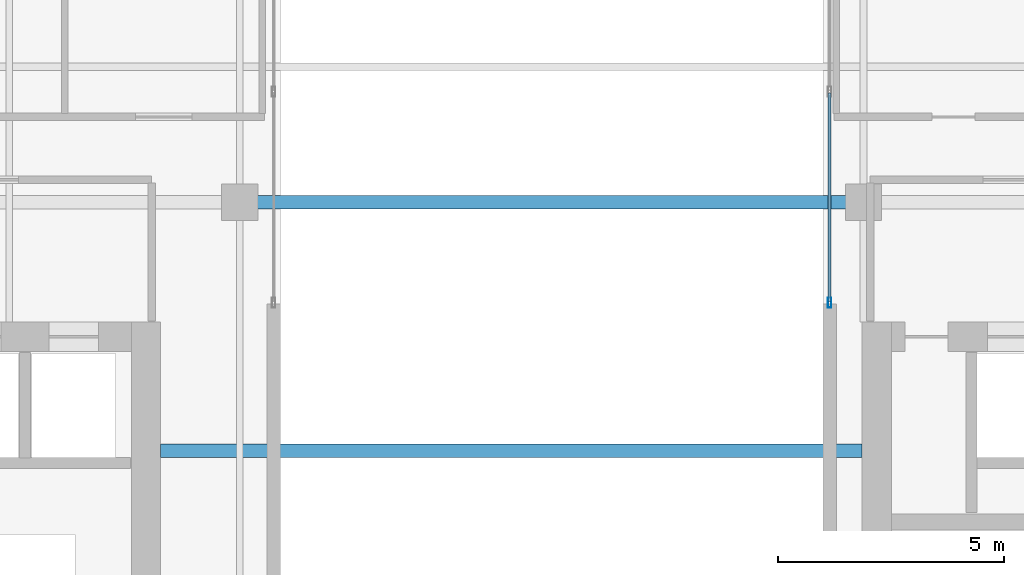
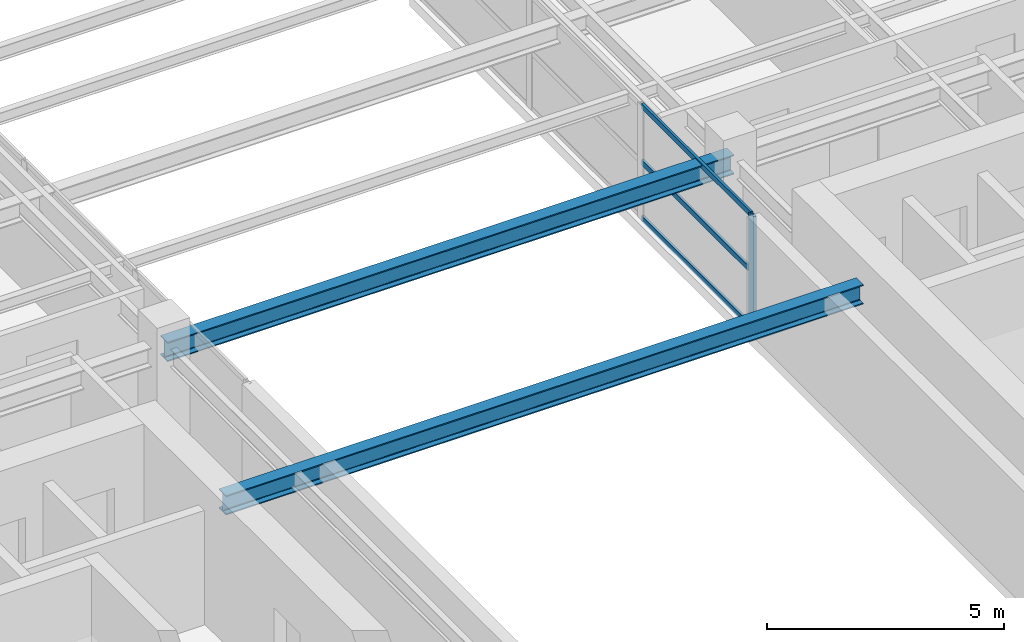
# One storey, part 9 of 21: 4 members, 2 beams, 1 element without a shape of its own.
"""IFC4 building model written with IfcOpenShell, lengths in metres."""

from ifc_helpers import new_model, si_unit, direction, frame, origin, origin_2d, place, context, subcontext, project, spatial, hollow_rectangle, i_section, extrude, source, transform, mapped, material, layer, layer_set, material_profile, profile_set, type_object, element, aggregate, save


model = new_model("IFC4")

# Units and contexts
model_context = context("Model", 3, precision=1e-05, world=origin(), true_north=direction((0.0, 1.0)))
body_context = subcontext(model_context, "Body", "Model", "MODEL_VIEW")
ifc_project = project(units=[si_unit("LENGTHUNIT", "METRE"), si_unit("AREAUNIT", "SQUARE_METRE"), si_unit("VOLUMEUNIT", "CUBIC_METRE"), si_unit("PLANEANGLEUNIT", "RADIAN"), si_unit("MASSUNIT", "GRAM", prefix="KILO")], contexts=[model_context])

# Site, building, storey
site_placement = place(None, origin())
site = spatial("IfcSite", under=ifc_project, at=site_placement, CompositionType="ELEMENT")
building_placement = place(site_placement, origin())
building = spatial("IfcBuilding", under=site, at=building_placement, Name="Khoralis Quay Care Tower", CompositionType="ELEMENT")
storey_placement = place(building_placement, frame((0.0, 0.0, 213.300048828125)))
storey = spatial("IfcBuildingStorey", under=building, at=storey_placement, Name="L56", CompositionType="ELEMENT", Elevation=213.300048828125)

# Beams
ifc_material_1 = material(Name="Steel S355", Category="steel")
ifc_material_profile_1 = material_profile(ifc_material_1, i_section(OverallWidth=0.300048828125, OverallDepth=0.5, WebThickness=0.014404296875, FlangeThickness=0.028076171875, FilletRadius=0.027099609375, at=origin_2d()), Name="Steel S355")
ifc_profile_set_1 = profile_set([ifc_material_profile_1], Name="Steel S355")
beam_type = type_object("IfcBeamType", Name="BM-HEB500", PredefinedType="BEAM", material=ifc_profile_set_1)
shared_shape_1 = source(origin(), body_context, "Body", "SweptSolid", [
    extrude(i_section(OverallWidth=0.300048828125, OverallDepth=0.5, WebThickness=0.014404296875, FlangeThickness=0.028076171875, FilletRadius=0.027099609375, at=origin_2d()), origin(), (0.0, 0.0, 1.0), 13.7998046875),
])
beam_1_placement = place(storey_placement, frame((17.10009765625, 30.0, 2.699951171875), z_axis=(1.0, 0.0, 0.0), x_axis=(0.0, 1.0, 0.0)))
element("IfcBeam", 1, at=beam_1_placement, inside=storey, type_object=beam_type, Name="BM-TGCC-L56-300", PredefinedType="BEAM", context=body_context, shape_type="MappedRepresentation", body=[
    mapped(shared_shape_1, transform((0.0, 0.0, 0.0), scale=1.0)),
])
shared_shape_2 = source(origin(), body_context, "Body", "SweptSolid", [
    extrude(i_section(OverallWidth=0.300048828125, OverallDepth=0.5, WebThickness=0.014404296875, FlangeThickness=0.028076171875, FilletRadius=0.027099609375, at=origin_2d()), origin(), (0.0, 0.0, 1.0), 15.524169921875),
])
beam_2_placement = place(storey_placement, frame((15.347900390625, 24.5, 2.699951171875), z_axis=(1.0, 0.0, 0.0), x_axis=(0.0, 1.0, 0.0)))
element("IfcBeam", 2, at=beam_2_placement, inside=storey, type_object=beam_type, Name="BM-TGCC-L56-245", PredefinedType="BEAM", context=body_context, shape_type="MappedRepresentation", body=[
    mapped(shared_shape_2, transform((0.0, 0.0, 0.0), scale=1.0)),
])

# Curtain wall, members
ifc_material_2 = material(Name="Pale anodised aluminium", Category="aluminium")
ifc_layer = layer(ifc_material_2, 0.18994140625)
ifc_layer_set = layer_set([ifc_layer], Name="Pale anodised aluminium")
curtain_wall_type = type_object("IfcCurtainWallType", Name="CW-SYS-PORTAL", PredefinedType="NOTDEFINED", material=ifc_layer_set)
curtain_wall_placement = place(storey_placement, origin())
curtain_wall = element("IfcCurtainWall", 3, at=curtain_wall_placement, inside=storey, type_object=curtain_wall_type, Name="L56 Unitised Curtain Wall CW-VP-L56-P2-N", PredefinedType="NOTDEFINED")
ifc_material_profile_2 = material_profile(ifc_material_2, hollow_rectangle(XDim=0.06005859375, YDim=0.139892578125, WallThickness=0.00390625, at=origin_2d()), Name="Pale anodised aluminium")
ifc_profile_set_2 = profile_set([ifc_material_profile_2], Name="Pale anodised aluminium")
member_type_1 = type_object("IfcMemberType", Name="CW-TRN-140", PredefinedType="USERDEFINED", material=ifc_profile_set_2)
shared_shape_3 = source(origin(), body_context, "Body", "SweptSolid", [
    extrude(hollow_rectangle(XDim=0.06005859375, YDim=0.139892578125, WallThickness=0.00390625, at=origin_2d()), origin(), (0.0, 0.0, 1.0), 4.60986328125),
])
member_1_placement = place(storey_placement, frame((30.14990234375, 27.81005859375, 0.030029296875), z_axis=(0.0, 1.0, 0.0), x_axis=(-1.0, 0.0, 0.0)))
member_1 = element("IfcMember", 4, at=member_1_placement, type_object=member_type_1, Name="CW4 transom 1.1", ObjectType="TRANSOM", PredefinedType="USERDEFINED", context=body_context, shape_type="MappedRepresentation", body=[
    mapped(shared_shape_3, transform((0.0, 0.0, 0.0), scale=1.0)),
])
member_2_placement = place(storey_placement, frame((30.14990234375, 27.81005859375, 1.474853515625), z_axis=(0.0, 1.0, 0.0), x_axis=(-1.0, 0.0, 0.0)))
member_2 = element("IfcMember", 5, at=member_2_placement, type_object=member_type_1, Name="CW4 transom 1.2", ObjectType="TRANSOM", PredefinedType="USERDEFINED", context=body_context, shape_type="MappedRepresentation", body=[
    mapped(shared_shape_3, transform((0.0, 0.0, 0.0), scale=1.0)),
])
member_3_placement = place(storey_placement, frame((30.14990234375, 27.81005859375, 2.919921875), z_axis=(0.0, 1.0, 0.0), x_axis=(-1.0, 0.0, 0.0)))
member_3 = element("IfcMember", 6, at=member_3_placement, type_object=member_type_1, Name="CW4 transom 1.3", ObjectType="TRANSOM", PredefinedType="USERDEFINED", context=body_context, shape_type="MappedRepresentation", body=[
    mapped(shared_shape_3, transform((0.0, 0.0, 0.0), scale=1.0)),
])
ifc_material_profile_3 = material_profile(ifc_material_2, hollow_rectangle(XDim=0.074951171875, YDim=0.219970703125, WallThickness=0.00390625, at=origin_2d()), Name="Pale anodised aluminium")
ifc_profile_set_3 = profile_set([ifc_material_profile_3], Name="Pale anodised aluminium")
member_type_2 = type_object("IfcMemberType", Name="CW-MUL-220", PredefinedType="MULLION", material=ifc_profile_set_3)
shared_shape_4 = source(origin(), body_context, "Body", "SweptSolid", [
    extrude(hollow_rectangle(XDim=0.074951171875, YDim=0.219970703125, WallThickness=0.00390625, at=origin_2d()), origin(), (0.0, 0.0, 1.0), 2.949951171875),
])
member_4_placement = place(storey_placement, frame((30.14990234375, 27.780029296875, 0.0), z_axis=(0.0, 0.0, 1.0), x_axis=(-1.0, 0.0, 0.0)))
member_4 = element("IfcMember", 7, at=member_4_placement, type_object=member_type_2, Name="CW4 mullion 1", PredefinedType="MULLION", context=body_context, shape_type="MappedRepresentation", body=[
    mapped(shared_shape_4, transform((0.0, 0.0, 0.0), scale=1.0)),
])
aggregate(curtain_wall, [member_4, member_1, member_2, member_3])

save(model, "model.ifc")
